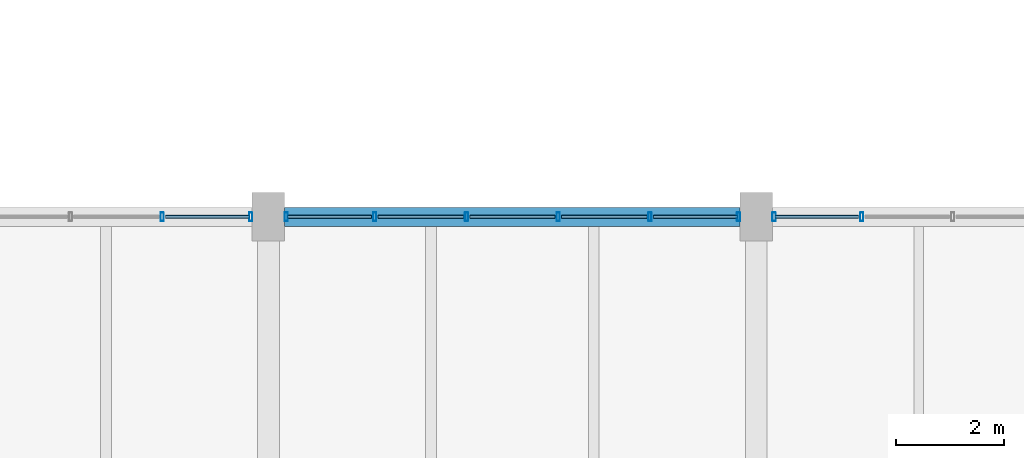
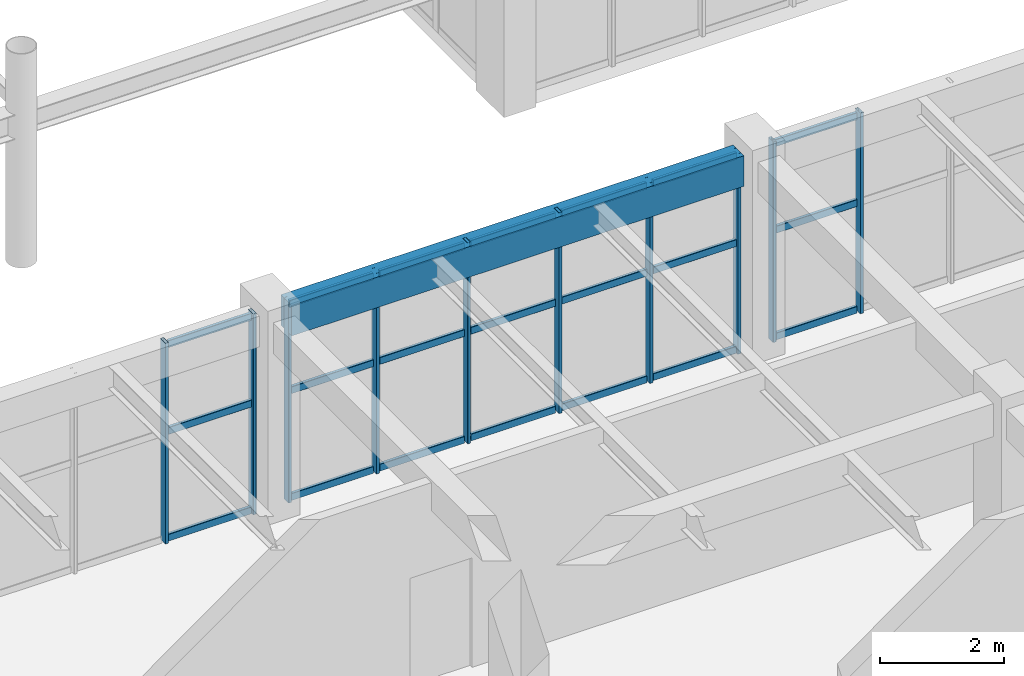
# One storey, part 19 of 148: 31 members, 1 beam, 3 elements without a shape of their own.
"""IFC4 building model written with IfcOpenShell, lengths in metres."""

from ifc_helpers import new_model, si_unit, derived_unit, direction, frame, origin, origin_2d, place, context, subcontext, project, spatial, rectangle, hollow_rectangle, extrude, material, material_profile, profile_set, type_object, element, aggregate, save


model = new_model("IFC4")

# Units and contexts
model_context = context("Model", 3, precision=1e-05, world=origin(), true_north=direction((0.0, 1.0)))
body_context = subcontext(model_context, "Body", "Model", "MODEL_VIEW")
ifc_project = project(units=[si_unit("LENGTHUNIT", "METRE"), si_unit("AREAUNIT", "SQUARE_METRE"), si_unit("VOLUMEUNIT", "CUBIC_METRE"), si_unit("PLANEANGLEUNIT", "RADIAN"), si_unit("MASSUNIT", "GRAM", prefix="KILO"), derived_unit("THERMALTRANSMITTANCEUNIT", [(si_unit("MASSUNIT", "GRAM", prefix="KILO"), 1), (si_unit("TIMEUNIT", "SECOND"), -3), (si_unit("THERMODYNAMICTEMPERATUREUNIT", "KELVIN"), -1)])], contexts=[model_context])

# Site, building, storey
site_placement = place(None, origin())
site = spatial("IfcSite", under=ifc_project, at=site_placement, CompositionType="ELEMENT")
building_placement = place(site_placement, origin())
building = spatial("IfcBuilding", under=site, at=building_placement, Name="Zhenchuan Archway Interchange", CompositionType="ELEMENT")
storey_placement = place(building_placement, frame((0.0, 0.0, 10.199951171875)))
storey = spatial("IfcBuildingStorey", under=building, at=storey_placement, Name="L02", CompositionType="ELEMENT", Elevation=10.199951171875)

# Curtain wall, members
ifc_material_1 = material(Name="Anodised Aluminium", Category="aluminium")
curtain_wall_type_1 = type_object("IfcCurtainWallType", Name="CW_UNIT_1", PredefinedType="NOTDEFINED", material=ifc_material_1)
curtain_wall_1_placement = place(storey_placement, origin())
curtain_wall_1 = element("IfcCurtainWall", 1, at=curtain_wall_1_placement, inside=storey, type_object=curtain_wall_type_1, Name="Unitised curtain wall CW:L02:112", PredefinedType="NOTDEFINED")
ifc_material_profile_1 = material_profile(ifc_material_1, hollow_rectangle(XDim=0.06005859375, YDim=0.159912109375, WallThickness=0.00390625, InnerFilletRadius=0.00390625, OuterFilletRadius=0.008056640625, at=origin_2d()), Name="ALU 160x60x4")
ifc_profile_set_1 = profile_set([ifc_material_profile_1], Name="Anodised Aluminium")
member_type_1 = type_object("IfcMemberType", Name="CW_MUL_150", PredefinedType="MULLION", material=ifc_profile_set_1)
member_1_placement = place(storey_placement, frame((16.039306640625, 16.0, 0.0), z_axis=(0.0, 0.0, 1.0), x_axis=(1.0, 0.0, 0.0)))
member_1 = element("IfcMember", 2, at=member_1_placement, type_object=member_type_1, Name="CW:L02:112 mullion 4", PredefinedType="MULLION", context=body_context, shape_type="SweptSolid", body=[
    extrude(hollow_rectangle(XDim=0.06005859375, YDim=0.159912109375, WallThickness=0.00390625, InnerFilletRadius=0.00390625, OuterFilletRadius=0.008056640625, at=origin_2d()), origin(), (0.0, 0.0, 1.0), 3.93994140625),
])
member_2_placement = place(storey_placement, frame((17.672119140625, 16.0, 0.0), z_axis=(0.0, 0.0, 1.0), x_axis=(1.0, 0.0, 0.0)))
member_2 = element("IfcMember", 3, at=member_2_placement, type_object=member_type_1, Name="CW:L02:112 mullion 5", PredefinedType="MULLION", context=body_context, shape_type="SweptSolid", body=[
    extrude(hollow_rectangle(XDim=0.06005859375, YDim=0.159912109375, WallThickness=0.00390625, InnerFilletRadius=0.00390625, OuterFilletRadius=0.008056640625, at=origin_2d()), origin(), (0.0, 0.0, 1.0), 3.93994140625),
])

curtain_wall_type_2 = type_object("IfcCurtainWallType", Name="CW_UNIT_2", PredefinedType="NOTDEFINED", material=ifc_material_1)
curtain_wall_2_placement = place(storey_placement, origin())
curtain_wall_2 = element("IfcCurtainWall", 4, at=curtain_wall_2_placement, inside=storey, type_object=curtain_wall_type_2, Name="Unitised curtain wall CW:L02:113", PredefinedType="NOTDEFINED")
member_3_placement = place(storey_placement, frame((18.327880859375, 16.0, 0.0), z_axis=(0.0, 0.0, 1.0), x_axis=(1.0, 0.0, 0.0)))
member_3 = element("IfcMember", 5, at=member_3_placement, type_object=member_type_1, Name="CW:L02:113 mullion 0", PredefinedType="MULLION", context=body_context, shape_type="SweptSolid", body=[
    extrude(hollow_rectangle(XDim=0.06005859375, YDim=0.159912109375, WallThickness=0.00390625, InnerFilletRadius=0.00390625, OuterFilletRadius=0.008056640625, at=origin_2d()), origin(), (0.0, 0.0, 1.0), 3.93994140625),
])
member_4_placement = place(storey_placement, frame((19.960693359375, 16.0, 0.0), z_axis=(0.0, 0.0, 1.0), x_axis=(1.0, 0.0, 0.0)))
member_4 = element("IfcMember", 6, at=member_4_placement, type_object=member_type_1, Name="CW:L02:113 mullion 1", PredefinedType="MULLION", context=body_context, shape_type="SweptSolid", body=[
    extrude(hollow_rectangle(XDim=0.06005859375, YDim=0.159912109375, WallThickness=0.00390625, InnerFilletRadius=0.00390625, OuterFilletRadius=0.008056640625, at=origin_2d()), origin(), (0.0, 0.0, 1.0), 3.93994140625),
])
member_5_placement = place(storey_placement, frame((21.653564453125, 16.0, 0.0), z_axis=(0.0, 0.0, 1.0), x_axis=(1.0, 0.0, 0.0)))
member_5 = element("IfcMember", 7, at=member_5_placement, type_object=member_type_1, Name="CW:L02:113 mullion 2", PredefinedType="MULLION", context=body_context, shape_type="SweptSolid", body=[
    extrude(hollow_rectangle(XDim=0.06005859375, YDim=0.159912109375, WallThickness=0.00390625, InnerFilletRadius=0.00390625, OuterFilletRadius=0.008056640625, at=origin_2d()), origin(), (0.0, 0.0, 1.0), 3.93994140625),
])
member_6_placement = place(storey_placement, frame((23.346435546875, 16.0, 0.0), z_axis=(0.0, 0.0, 1.0), x_axis=(1.0, 0.0, 0.0)))
member_6 = element("IfcMember", 8, at=member_6_placement, type_object=member_type_1, Name="CW:L02:113 mullion 3", PredefinedType="MULLION", context=body_context, shape_type="SweptSolid", body=[
    extrude(hollow_rectangle(XDim=0.06005859375, YDim=0.159912109375, WallThickness=0.00390625, InnerFilletRadius=0.00390625, OuterFilletRadius=0.008056640625, at=origin_2d()), origin(), (0.0, 0.0, 1.0), 3.93994140625),
])
member_7_placement = place(storey_placement, frame((25.039306640625, 16.0, 0.0), z_axis=(0.0, 0.0, 1.0), x_axis=(1.0, 0.0, 0.0)))
member_7 = element("IfcMember", 9, at=member_7_placement, type_object=member_type_1, Name="CW:L02:113 mullion 4", PredefinedType="MULLION", context=body_context, shape_type="SweptSolid", body=[
    extrude(hollow_rectangle(XDim=0.06005859375, YDim=0.159912109375, WallThickness=0.00390625, InnerFilletRadius=0.00390625, OuterFilletRadius=0.008056640625, at=origin_2d()), origin(), (0.0, 0.0, 1.0), 3.93994140625),
])
member_8_placement = place(storey_placement, frame((26.672119140625, 16.0, 0.0), z_axis=(0.0, 0.0, 1.0), x_axis=(1.0, 0.0, 0.0)))
member_8 = element("IfcMember", 10, at=member_8_placement, type_object=member_type_1, Name="CW:L02:113 mullion 5", PredefinedType="MULLION", context=body_context, shape_type="SweptSolid", body=[
    extrude(hollow_rectangle(XDim=0.06005859375, YDim=0.159912109375, WallThickness=0.00390625, InnerFilletRadius=0.00390625, OuterFilletRadius=0.008056640625, at=origin_2d()), origin(), (0.0, 0.0, 1.0), 3.93994140625),
])

curtain_wall_type_3 = type_object("IfcCurtainWallType", Name="CW_UNIT_3", PredefinedType="NOTDEFINED", material=ifc_material_1)
curtain_wall_3_placement = place(storey_placement, origin())
curtain_wall_3 = element("IfcCurtainWall", 11, at=curtain_wall_3_placement, inside=storey, type_object=curtain_wall_type_3, Name="Unitised curtain wall CW:L02:114", PredefinedType="NOTDEFINED")
member_9_placement = place(storey_placement, frame((27.327880859375, 16.0, 0.0), z_axis=(0.0, 0.0, 1.0), x_axis=(1.0, 0.0, 0.0)))
member_9 = element("IfcMember", 12, at=member_9_placement, type_object=member_type_1, Name="CW:L02:114 mullion 0", PredefinedType="MULLION", context=body_context, shape_type="SweptSolid", body=[
    extrude(hollow_rectangle(XDim=0.06005859375, YDim=0.159912109375, WallThickness=0.00390625, InnerFilletRadius=0.00390625, OuterFilletRadius=0.008056640625, at=origin_2d()), origin(), (0.0, 0.0, 1.0), 3.93994140625),
])
member_10_placement = place(storey_placement, frame((28.94580078125, 16.0, 0.0), z_axis=(0.0, 0.0, 1.0), x_axis=(1.0, 0.0, 0.0)))
member_10 = element("IfcMember", 13, at=member_10_placement, type_object=member_type_1, Name="CW:L02:114 mullion 1", PredefinedType="MULLION", context=body_context, shape_type="SweptSolid", body=[
    extrude(hollow_rectangle(XDim=0.06005859375, YDim=0.159912109375, WallThickness=0.00390625, InnerFilletRadius=0.00390625, OuterFilletRadius=0.008056640625, at=origin_2d()), origin(), (0.0, 0.0, 1.0), 3.93994140625),
])

# Member
ifc_material_profile_2 = material_profile(ifc_material_1, hollow_rectangle(XDim=0.06005859375, YDim=0.139892578125, WallThickness=0.00341796875, InnerFilletRadius=0.00341796875, OuterFilletRadius=0.007080078125, at=origin_2d()), Name="ALU 140x60x3.5")
ifc_profile_set_2 = profile_set([ifc_material_profile_2], Name="Anodised Aluminium")
member_type_2 = type_object("IfcMemberType", Name="CW_TRN_140", PredefinedType="USERDEFINED", material=ifc_profile_set_2)
member_11_placement = place(storey_placement, frame((16.09912109375, 16.0, 0.06005859375), z_axis=(1.0, 0.0, 0.0), x_axis=(0.0, 1.0, 0.0)))
member_11 = element("IfcMember", 14, at=member_11_placement, type_object=member_type_2, Name="CW:L02:112 transom 4-1", ObjectType="TRANSOM", PredefinedType="USERDEFINED", context=body_context, shape_type="SweptSolid", body=[
    extrude(hollow_rectangle(XDim=0.06005859375, YDim=0.139892578125, WallThickness=0.00341796875, InnerFilletRadius=0.00341796875, OuterFilletRadius=0.007080078125, at=origin_2d()), origin(), (0.0, 0.0, 1.0), 1.552978515625),
])

member_12_placement = place(storey_placement, frame((16.09912109375, 16.0, 2.156005859375), z_axis=(1.0, 0.0, 0.0), x_axis=(0.0, 1.0, 0.0)))
member_12 = element("IfcMember", 15, at=member_12_placement, type_object=member_type_2, Name="CW:L02:112 transom 4-2", ObjectType="TRANSOM", PredefinedType="USERDEFINED", context=body_context, shape_type="SweptSolid", body=[
    extrude(hollow_rectangle(XDim=0.06005859375, YDim=0.139892578125, WallThickness=0.00341796875, InnerFilletRadius=0.00341796875, OuterFilletRadius=0.007080078125, at=origin_2d()), origin(), (0.0, 0.0, 1.0), 1.552978515625),
])

member_13_placement = place(storey_placement, frame((16.09912109375, 16.0, 3.860107421875), z_axis=(1.0, 0.0, 0.0), x_axis=(0.0, 1.0, 0.0)))
member_13 = element("IfcMember", 16, at=member_13_placement, type_object=member_type_2, Name="CW:L02:112 transom 4-3", ObjectType="TRANSOM", PredefinedType="USERDEFINED", context=body_context, shape_type="SweptSolid", body=[
    extrude(hollow_rectangle(XDim=0.06005859375, YDim=0.139892578125, WallThickness=0.00341796875, InnerFilletRadius=0.00341796875, OuterFilletRadius=0.007080078125, at=origin_2d()), origin(), (0.0, 0.0, 1.0), 1.552978515625),
])

aggregate(curtain_wall_1, [member_1, member_2, member_11, member_12, member_13])

member_14_placement = place(storey_placement, frame((18.347900390625, 16.0, 0.06005859375), z_axis=(1.0, 0.0, 0.0), x_axis=(0.0, 1.0, 0.0)))
member_14 = element("IfcMember", 17, at=member_14_placement, type_object=member_type_2, Name="CW:L02:113 transom 0-1", ObjectType="TRANSOM", PredefinedType="USERDEFINED", context=body_context, shape_type="SweptSolid", body=[
    extrude(hollow_rectangle(XDim=0.06005859375, YDim=0.139892578125, WallThickness=0.00341796875, InnerFilletRadius=0.00341796875, OuterFilletRadius=0.007080078125, at=origin_2d()), origin(), (0.0, 0.0, 1.0), 1.552978515625),
])

member_15_placement = place(storey_placement, frame((18.347900390625, 16.0, 2.156005859375), z_axis=(1.0, 0.0, 0.0), x_axis=(0.0, 1.0, 0.0)))
member_15 = element("IfcMember", 18, at=member_15_placement, type_object=member_type_2, Name="CW:L02:113 transom 0-2", ObjectType="TRANSOM", PredefinedType="USERDEFINED", context=body_context, shape_type="SweptSolid", body=[
    extrude(hollow_rectangle(XDim=0.06005859375, YDim=0.139892578125, WallThickness=0.00341796875, InnerFilletRadius=0.00341796875, OuterFilletRadius=0.007080078125, at=origin_2d()), origin(), (0.0, 0.0, 1.0), 1.552978515625),
])

member_16_placement = place(storey_placement, frame((18.347900390625, 16.0, 3.860107421875), z_axis=(1.0, 0.0, 0.0), x_axis=(0.0, 1.0, 0.0)))
member_16 = element("IfcMember", 19, at=member_16_placement, type_object=member_type_2, Name="CW:L02:113 transom 0-3", ObjectType="TRANSOM", PredefinedType="USERDEFINED", context=body_context, shape_type="SweptSolid", body=[
    extrude(hollow_rectangle(XDim=0.06005859375, YDim=0.139892578125, WallThickness=0.00341796875, InnerFilletRadius=0.00341796875, OuterFilletRadius=0.007080078125, at=origin_2d()), origin(), (0.0, 0.0, 1.0), 1.552978515625),
])

member_17_placement = place(storey_placement, frame((20.020751953125, 16.0, 0.06005859375), z_axis=(1.0, 0.0, 0.0), x_axis=(0.0, 1.0, 0.0)))
member_17 = element("IfcMember", 20, at=member_17_placement, type_object=member_type_2, Name="CW:L02:113 transom 1-1", ObjectType="TRANSOM", PredefinedType="USERDEFINED", context=body_context, shape_type="SweptSolid", body=[
    extrude(hollow_rectangle(XDim=0.06005859375, YDim=0.139892578125, WallThickness=0.00341796875, InnerFilletRadius=0.00341796875, OuterFilletRadius=0.007080078125, at=origin_2d()), origin(), (0.0, 0.0, 1.0), 1.57275390625),
])

member_18_placement = place(storey_placement, frame((20.020751953125, 16.0, 2.156005859375), z_axis=(1.0, 0.0, 0.0), x_axis=(0.0, 1.0, 0.0)))
member_18 = element("IfcMember", 21, at=member_18_placement, type_object=member_type_2, Name="CW:L02:113 transom 1-2", ObjectType="TRANSOM", PredefinedType="USERDEFINED", context=body_context, shape_type="SweptSolid", body=[
    extrude(hollow_rectangle(XDim=0.06005859375, YDim=0.139892578125, WallThickness=0.00341796875, InnerFilletRadius=0.00341796875, OuterFilletRadius=0.007080078125, at=origin_2d()), origin(), (0.0, 0.0, 1.0), 1.57275390625),
])

member_19_placement = place(storey_placement, frame((20.020751953125, 16.0, 3.860107421875), z_axis=(1.0, 0.0, 0.0), x_axis=(0.0, 1.0, 0.0)))
member_19 = element("IfcMember", 22, at=member_19_placement, type_object=member_type_2, Name="CW:L02:113 transom 1-3", ObjectType="TRANSOM", PredefinedType="USERDEFINED", context=body_context, shape_type="SweptSolid", body=[
    extrude(hollow_rectangle(XDim=0.06005859375, YDim=0.139892578125, WallThickness=0.00341796875, InnerFilletRadius=0.00341796875, OuterFilletRadius=0.007080078125, at=origin_2d()), origin(), (0.0, 0.0, 1.0), 1.57275390625),
])

member_20_placement = place(storey_placement, frame((21.713623046875, 16.0, 0.06005859375), z_axis=(1.0, 0.0, 0.0), x_axis=(0.0, 1.0, 0.0)))
member_20 = element("IfcMember", 23, at=member_20_placement, type_object=member_type_2, Name="CW:L02:113 transom 2-1", ObjectType="TRANSOM", PredefinedType="USERDEFINED", context=body_context, shape_type="SweptSolid", body=[
    extrude(hollow_rectangle(XDim=0.06005859375, YDim=0.139892578125, WallThickness=0.00341796875, InnerFilletRadius=0.00341796875, OuterFilletRadius=0.007080078125, at=origin_2d()), origin(), (0.0, 0.0, 1.0), 1.57275390625),
])

member_21_placement = place(storey_placement, frame((21.713623046875, 16.0, 2.156005859375), z_axis=(1.0, 0.0, 0.0), x_axis=(0.0, 1.0, 0.0)))
member_21 = element("IfcMember", 24, at=member_21_placement, type_object=member_type_2, Name="CW:L02:113 transom 2-2", ObjectType="TRANSOM", PredefinedType="USERDEFINED", context=body_context, shape_type="SweptSolid", body=[
    extrude(hollow_rectangle(XDim=0.06005859375, YDim=0.139892578125, WallThickness=0.00341796875, InnerFilletRadius=0.00341796875, OuterFilletRadius=0.007080078125, at=origin_2d()), origin(), (0.0, 0.0, 1.0), 1.57275390625),
])

member_22_placement = place(storey_placement, frame((21.713623046875, 16.0, 3.860107421875), z_axis=(1.0, 0.0, 0.0), x_axis=(0.0, 1.0, 0.0)))
member_22 = element("IfcMember", 25, at=member_22_placement, type_object=member_type_2, Name="CW:L02:113 transom 2-3", ObjectType="TRANSOM", PredefinedType="USERDEFINED", context=body_context, shape_type="SweptSolid", body=[
    extrude(hollow_rectangle(XDim=0.06005859375, YDim=0.139892578125, WallThickness=0.00341796875, InnerFilletRadius=0.00341796875, OuterFilletRadius=0.007080078125, at=origin_2d()), origin(), (0.0, 0.0, 1.0), 1.57275390625),
])

member_23_placement = place(storey_placement, frame((23.406494140625, 16.0, 0.06005859375), z_axis=(1.0, 0.0, 0.0), x_axis=(0.0, 1.0, 0.0)))
member_23 = element("IfcMember", 26, at=member_23_placement, type_object=member_type_2, Name="CW:L02:113 transom 3-1", ObjectType="TRANSOM", PredefinedType="USERDEFINED", context=body_context, shape_type="SweptSolid", body=[
    extrude(hollow_rectangle(XDim=0.06005859375, YDim=0.139892578125, WallThickness=0.00341796875, InnerFilletRadius=0.00341796875, OuterFilletRadius=0.007080078125, at=origin_2d()), origin(), (0.0, 0.0, 1.0), 1.57275390625),
])

member_24_placement = place(storey_placement, frame((23.406494140625, 16.0, 2.156005859375), z_axis=(1.0, 0.0, 0.0), x_axis=(0.0, 1.0, 0.0)))
member_24 = element("IfcMember", 27, at=member_24_placement, type_object=member_type_2, Name="CW:L02:113 transom 3-2", ObjectType="TRANSOM", PredefinedType="USERDEFINED", context=body_context, shape_type="SweptSolid", body=[
    extrude(hollow_rectangle(XDim=0.06005859375, YDim=0.139892578125, WallThickness=0.00341796875, InnerFilletRadius=0.00341796875, OuterFilletRadius=0.007080078125, at=origin_2d()), origin(), (0.0, 0.0, 1.0), 1.57275390625),
])

member_25_placement = place(storey_placement, frame((23.406494140625, 16.0, 3.860107421875), z_axis=(1.0, 0.0, 0.0), x_axis=(0.0, 1.0, 0.0)))
member_25 = element("IfcMember", 28, at=member_25_placement, type_object=member_type_2, Name="CW:L02:113 transom 3-3", ObjectType="TRANSOM", PredefinedType="USERDEFINED", context=body_context, shape_type="SweptSolid", body=[
    extrude(hollow_rectangle(XDim=0.06005859375, YDim=0.139892578125, WallThickness=0.00341796875, InnerFilletRadius=0.00341796875, OuterFilletRadius=0.007080078125, at=origin_2d()), origin(), (0.0, 0.0, 1.0), 1.57275390625),
])

member_26_placement = place(storey_placement, frame((25.09912109375, 16.0, 0.06005859375), z_axis=(1.0, 0.0, 0.0), x_axis=(0.0, 1.0, 0.0)))
member_26 = element("IfcMember", 29, at=member_26_placement, type_object=member_type_2, Name="CW:L02:113 transom 4-1", ObjectType="TRANSOM", PredefinedType="USERDEFINED", context=body_context, shape_type="SweptSolid", body=[
    extrude(hollow_rectangle(XDim=0.06005859375, YDim=0.139892578125, WallThickness=0.00341796875, InnerFilletRadius=0.00341796875, OuterFilletRadius=0.007080078125, at=origin_2d()), origin(), (0.0, 0.0, 1.0), 1.552978515625),
])

member_27_placement = place(storey_placement, frame((25.09912109375, 16.0, 2.156005859375), z_axis=(1.0, 0.0, 0.0), x_axis=(0.0, 1.0, 0.0)))
member_27 = element("IfcMember", 30, at=member_27_placement, type_object=member_type_2, Name="CW:L02:113 transom 4-2", ObjectType="TRANSOM", PredefinedType="USERDEFINED", context=body_context, shape_type="SweptSolid", body=[
    extrude(hollow_rectangle(XDim=0.06005859375, YDim=0.139892578125, WallThickness=0.00341796875, InnerFilletRadius=0.00341796875, OuterFilletRadius=0.007080078125, at=origin_2d()), origin(), (0.0, 0.0, 1.0), 1.552978515625),
])

member_28_placement = place(storey_placement, frame((25.09912109375, 16.0, 3.860107421875), z_axis=(1.0, 0.0, 0.0), x_axis=(0.0, 1.0, 0.0)))
member_28 = element("IfcMember", 31, at=member_28_placement, type_object=member_type_2, Name="CW:L02:113 transom 4-3", ObjectType="TRANSOM", PredefinedType="USERDEFINED", context=body_context, shape_type="SweptSolid", body=[
    extrude(hollow_rectangle(XDim=0.06005859375, YDim=0.139892578125, WallThickness=0.00341796875, InnerFilletRadius=0.00341796875, OuterFilletRadius=0.007080078125, at=origin_2d()), origin(), (0.0, 0.0, 1.0), 1.552978515625),
])

aggregate(curtain_wall_2, [member_3, member_4, member_5, member_6, member_7, member_8, member_14, member_15, member_16, member_17, member_18, member_19, member_20, member_21, member_22, member_23, member_24, member_25, member_26, member_27, member_28])

member_29_placement = place(storey_placement, frame((27.347900390625, 16.0, 0.06005859375), z_axis=(1.0, 0.0, 0.0), x_axis=(0.0, 1.0, 0.0)))
member_29 = element("IfcMember", 32, at=member_29_placement, type_object=member_type_2, Name="CW:L02:114 transom 0-1", ObjectType="TRANSOM", PredefinedType="USERDEFINED", context=body_context, shape_type="SweptSolid", body=[
    extrude(hollow_rectangle(XDim=0.06005859375, YDim=0.139892578125, WallThickness=0.00341796875, InnerFilletRadius=0.00341796875, OuterFilletRadius=0.007080078125, at=origin_2d()), origin(), (0.0, 0.0, 1.0), 1.537841796875),
])

member_30_placement = place(storey_placement, frame((27.347900390625, 16.0, 2.156005859375), z_axis=(1.0, 0.0, 0.0), x_axis=(0.0, 1.0, 0.0)))
member_30 = element("IfcMember", 33, at=member_30_placement, type_object=member_type_2, Name="CW:L02:114 transom 0-2", ObjectType="TRANSOM", PredefinedType="USERDEFINED", context=body_context, shape_type="SweptSolid", body=[
    extrude(hollow_rectangle(XDim=0.06005859375, YDim=0.139892578125, WallThickness=0.00341796875, InnerFilletRadius=0.00341796875, OuterFilletRadius=0.007080078125, at=origin_2d()), origin(), (0.0, 0.0, 1.0), 1.537841796875),
])

member_31_placement = place(storey_placement, frame((27.347900390625, 16.0, 3.860107421875), z_axis=(1.0, 0.0, 0.0), x_axis=(0.0, 1.0, 0.0)))
member_31 = element("IfcMember", 34, at=member_31_placement, type_object=member_type_2, Name="CW:L02:114 transom 0-3", ObjectType="TRANSOM", PredefinedType="USERDEFINED", context=body_context, shape_type="SweptSolid", body=[
    extrude(hollow_rectangle(XDim=0.06005859375, YDim=0.139892578125, WallThickness=0.00341796875, InnerFilletRadius=0.00341796875, OuterFilletRadius=0.007080078125, at=origin_2d()), origin(), (0.0, 0.0, 1.0), 1.537841796875),
])

aggregate(curtain_wall_3, [member_9, member_10, member_29, member_30, member_31])

# Beam
ifc_material_2 = material(Name="Concrete C40", Category="concrete")
ifc_material_profile_3 = material_profile(ifc_material_2, rectangle(XDim=0.35009765625, YDim=0.60009765625, at=origin_2d()), Name="RC 350x600")
ifc_profile_set_3 = profile_set([ifc_material_profile_3], Name="Concrete C40")
beam_type = type_object("IfcBeamType", Name="SP_RC_350x600", PredefinedType="SPANDREL", material=ifc_profile_set_3)
beam_placement = place(storey_placement, frame((18.300048828125, 16.0, 3.64013671875), z_axis=(1.0, 0.0, 0.0), x_axis=(0.0, 1.0, 0.0)))
element("IfcBeam", 35, at=beam_placement, inside=storey, type_object=beam_type, Name="Beam C:3-4 (L02)", PredefinedType="SPANDREL", context=body_context, shape_type="SweptSolid", body=[
    extrude(rectangle(XDim=0.35009765625, YDim=0.60009765625, at=origin_2d()), origin(), (0.0, 0.0, 1.0), 8.39990234375),
])

save(model, "model.ifc")
